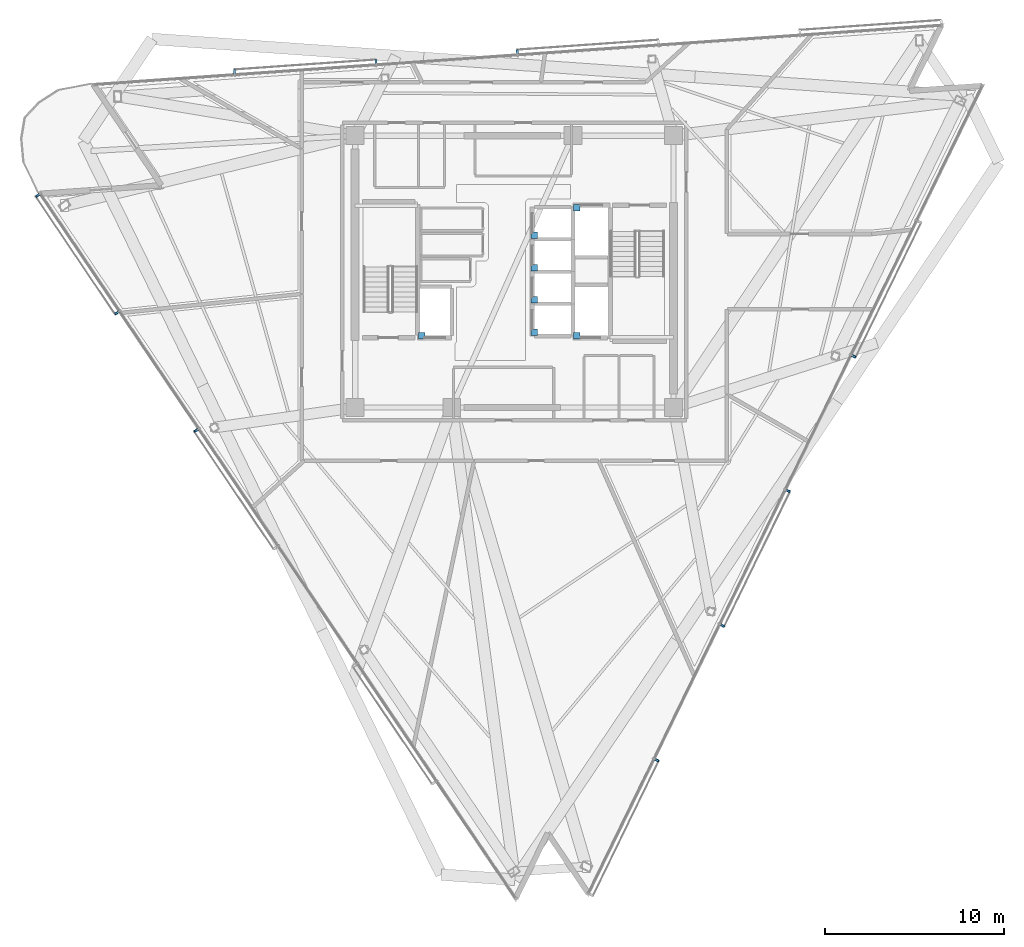
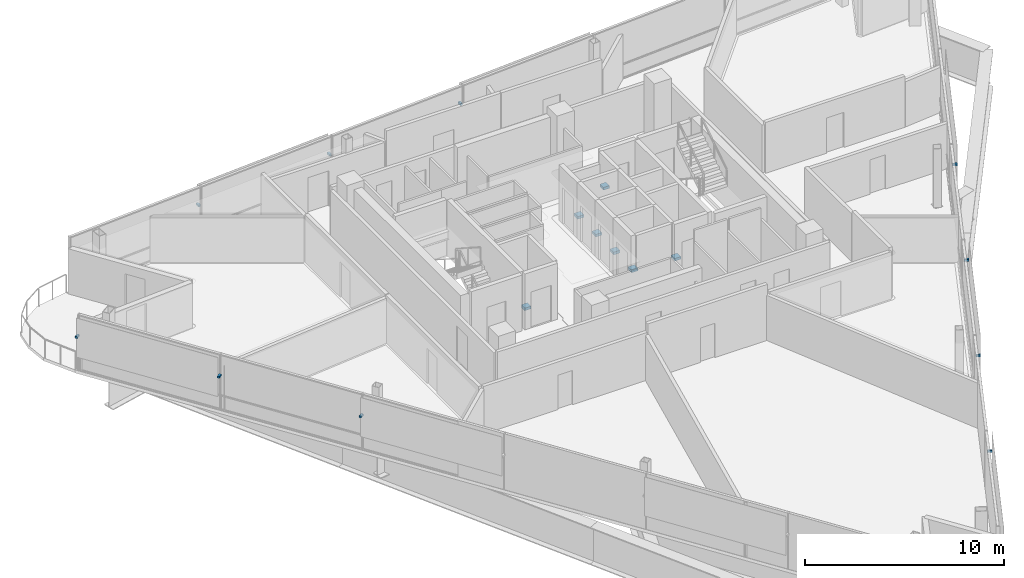
# One storey, part 13 of 17: 17 discrete accessories.
"""IFC4 building model written with IfcOpenShell, lengths in metres."""

from ifc_helpers import new_model, si_unit, direction, frame, origin, origin_2d, place, context, subcontext, project, spatial, rectangle, extrude, material, type_object, element, save


model = new_model("IFC4")

# Units and contexts
model_context = context("Model", 3, precision=1e-05, world=origin(), true_north=direction((0.0, 1.0)))
body_context = subcontext(model_context, "Body", "Model", "MODEL_VIEW")
ifc_project = project(units=[si_unit("LENGTHUNIT", "METRE"), si_unit("AREAUNIT", "SQUARE_METRE"), si_unit("VOLUMEUNIT", "CUBIC_METRE"), si_unit("PLANEANGLEUNIT", "RADIAN"), si_unit("MASSUNIT", "GRAM", prefix="KILO")], contexts=[model_context])

# Site, building, storey
site_placement = place(None, origin())
site = spatial("IfcSite", under=ifc_project, at=site_placement, CompositionType="ELEMENT")
building_placement = place(site_placement, origin())
building = spatial("IfcBuilding", under=site, at=building_placement, Name="Tharavind Bronze Gate", CompositionType="ELEMENT")
storey_placement = place(building_placement, frame((0.0, 0.0, 253.39990234375)))
storey = spatial("IfcBuildingStorey", under=building, at=storey_placement, Name="L65", CompositionType="ELEMENT", Elevation=253.39990234375)

# Discrete accessories
ifc_material_1 = material(Name="Galvanised Steel S355", Category="steel")
discrete_accessory_type_1 = type_object("IfcDiscreteAccessoryType", Name="LIFT GUIDE RAIL BRACKET", PredefinedType="BRACKET", material=ifc_material_1)
for number, where, z_axis, x_axis, name in (
    (1, (1.1201171875, -3.3798828125, 1.1201171875), (0.0, 0.0, 1.0), (1.0, 0.0, 0.0), "Lift PL9 guide rail bracket at L65"),
    (2, (1.1201171875, -1.580078125, 1.1201171875), (0.0, 0.0, 1.0), (1.0, 0.0, 0.0), "Lift PL10 guide rail bracket at L65"),
    (3, (1.1201171875, 0.219970703125, 1.1201171875), (0.0, 0.0, 1.0), (1.0, 0.0, 0.0), "Lift PL11 guide rail bracket at L65"),
    (4, (1.1201171875, 2.02001953125, 1.1201171875), (0.0, 0.0, 1.0), (1.0, 0.0, 0.0), "Lift PL12 guide rail bracket at L65"),
    (5, (-5.179931640625, -3.580078125, 1.1201171875), (0.0, 0.0, 1.0), (1.0, 0.0, 0.0), "Lift FFL1 guide rail bracket at L65"),
    (6, (3.5, 3.580078125, 1.1201171875), (0.0, 0.0, 1.0), (1.0, 0.0, 0.0), "Lift FFL2 guide rail bracket at L65"),
    (7, (3.5, -3.580078125, 1.1201171875), (0.0, 0.0, 1.0), (1.0, 0.0, 0.0), "Lift SVL1 guide rail bracket at L65"),
):
    element("IfcDiscreteAccessory", number, at=place(storey_placement, frame(where, z_axis=z_axis, x_axis=x_axis)), inside=storey, type_object=discrete_accessory_type_1, Name=name, PredefinedType="BRACKET", context=body_context, shape_type="SweptSolid", body=[
        extrude(rectangle(XDim=0.360107421875, YDim=0.360107421875, at=origin_2d()), origin(), (0.0, 0.0, 1.0), 0.159912109375),
    ])
ifc_material_2 = material(Name="Stainless Steel 316", Category="steel")
discrete_accessory_type_2 = type_object("IfcDiscreteAccessoryType", Name="SOLAR SCREEN STANDOFF BRACKET", PredefinedType="BRACKET", material=ifc_material_2)
for number, where, z_axis, x_axis, name in (
    (8, (-26.647216796875, 4.25146484375, 2.10009765625), (0.0, 0.0, 1.0), (0.559191456526, -0.82903854853, 0.0), "CW-L65-S1 solar screen bracket 1.1"),
    (9, (-22.21826171875, -2.314697265625, 2.10009765625), (0.0, 0.0, 1.0), (0.559191456526, -0.82903854853, 0.0), "CW-L65-S1 solar screen bracket 1.2"),
    (10, (-17.789306640625, -8.881103515625, 2.10009765625), (0.0, 0.0, 1.0), (0.559191456526, -0.82903854853, 0.0), "CW-L65-S1 solar screen bracket 3.1"),
    (11, (7.966064453125, -27.3154296875, 2.10009765625), (0.0, 0.0, 1.0), (0.43837271548, 0.898793281196, 0.0), "CW-L65-S2 solar screen bracket 1.2"),
    (12, (11.63623046875, -19.79052734375, 2.10009765625), (0.0, 0.0, 1.0), (0.43837271548, 0.898793281196, 0.0), "CW-L65-S2 solar screen bracket 3.1"),
    (13, (15.306396484375, -12.265380859375, 2.10009765625), (0.0, 0.0, 1.0), (0.43837271548, 0.898793281196, 0.0), "CW-L65-S2 solar screen bracket 3.2"),
    (14, (18.9765625, -4.740478515625, 2.10009765625), (0.0, 0.0, 1.0), (0.43837271548, 0.898793281196, 0.0), "CW-L65-S2 solar screen bracket 5.1"),
    (15, (0.164794921875, 12.283203125, 2.10009765625), (0.0, 0.0, 1.0), (-0.997563806758, -0.069759955899, 0.0), "CW-L65-S3 solar screen bracket 3.2"),
    (16, (-7.736328125, 11.730712890625, 2.10009765625), (0.0, 0.0, 1.0), (-0.997563806758, -0.069759955899, 0.0), "CW-L65-S3 solar screen bracket 5.1"),
    (17, (-15.63720703125, 11.177978515625, 2.10009765625), (0.0, 0.0, 1.0), (-0.997563806758, -0.069759955899, 0.0), "CW-L65-S3 solar screen bracket 5.2"),
):
    element("IfcDiscreteAccessory", number, at=place(storey_placement, frame(where, z_axis=z_axis, x_axis=x_axis)), inside=storey, type_object=discrete_accessory_type_2, Name=name, PredefinedType="BRACKET", context=body_context, shape_type="SweptSolid", body=[
        extrude(rectangle(XDim=0.1201171875, YDim=0.239990234375, at=origin_2d()), origin(), (0.0, 0.0, 1.0), 0.1201171875),
    ])

save(model, "model.ifc")
